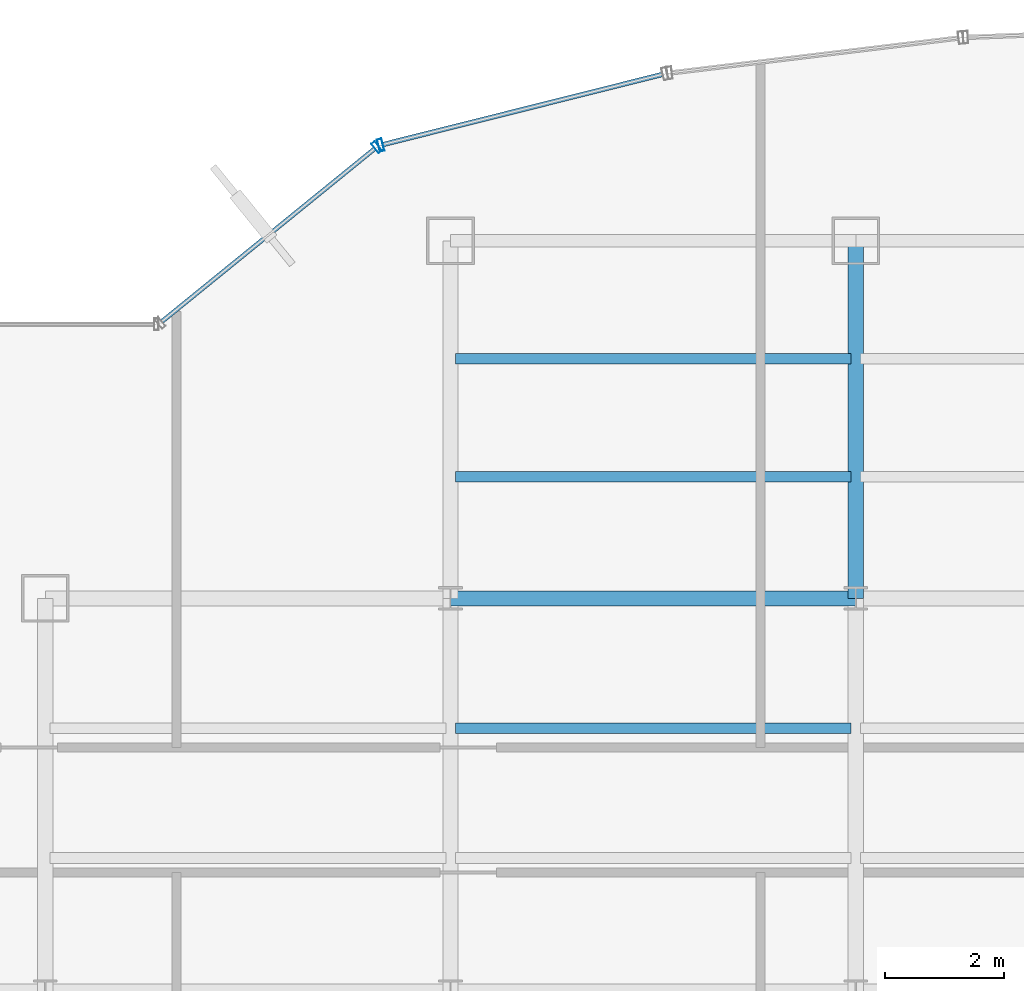
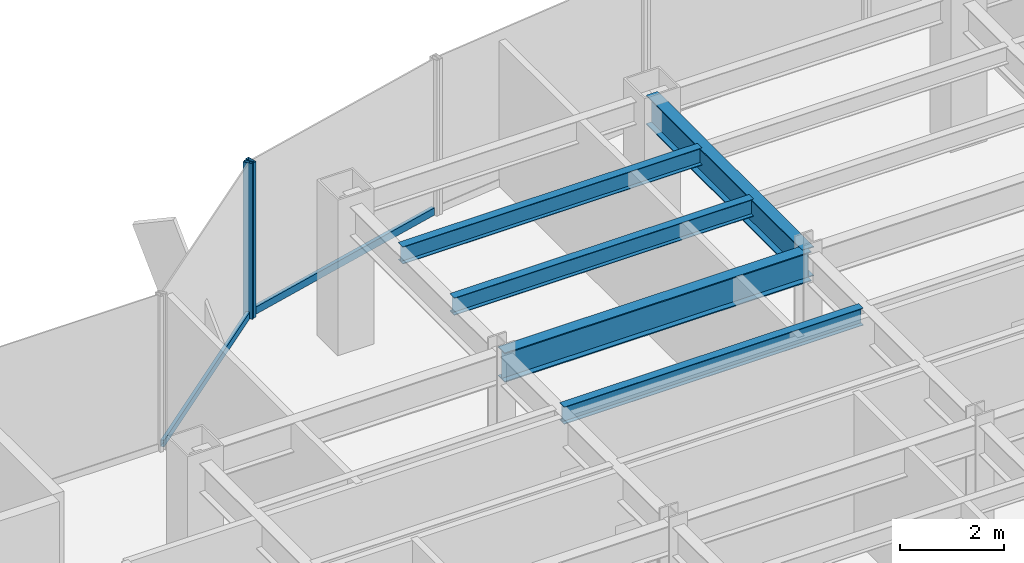
# One storey, part 14 of 26: 5 beams, 4 members, 2 elements without a shape of their own.
"""IFC4 building model written with IfcOpenShell, lengths in metres."""

from ifc_helpers import new_model, si_unit, derived_unit, direction, frame, origin, origin_2d, place, context, subcontext, project, spatial, hollow_rectangle, i_section, extrude, source, transform, mapped, material, material_profile, profile_set, type_object, element, aggregate, save


model = new_model("IFC4")

# Units and contexts
model_context = context("Model", 3, precision=1e-05, world=origin(), true_north=direction((0.0, 1.0)))
body_context = subcontext(model_context, "Body", "Model", "MODEL_VIEW")
ifc_project = project(units=[si_unit("LENGTHUNIT", "METRE"), si_unit("AREAUNIT", "SQUARE_METRE"), si_unit("VOLUMEUNIT", "CUBIC_METRE"), si_unit("PLANEANGLEUNIT", "RADIAN"), si_unit("MASSUNIT", "GRAM", prefix="KILO"), derived_unit("THERMALTRANSMITTANCEUNIT", [(si_unit("POWERUNIT", "WATT"), 1), (si_unit("LENGTHUNIT", "METRE"), -2), (si_unit("THERMODYNAMICTEMPERATUREUNIT", "KELVIN"), -1)])], contexts=[model_context])

# Site, building, storey
site_placement = place(None, origin())
site = spatial("IfcSite", under=ifc_project, at=site_placement, CompositionType="ELEMENT")
building_placement = place(site_placement, origin())
building = spatial("IfcBuilding", under=site, at=building_placement, Name="Skarnbrae Concourse Arena and Tower", CompositionType="ELEMENT")
storey_placement = place(building_placement, frame((0.0, 0.0, 103.25)))
storey = spatial("IfcBuildingStorey", under=building, at=storey_placement, Name="L25", CompositionType="ELEMENT", Elevation=103.25)

# Beams
ifc_material_1 = material(Name="Steel CSA G40.21 350W", Category="steel")
ifc_material_profile_1 = material_profile(ifc_material_1, i_section(OverallWidth=0.256103515625, OverallDepth=0.693115234375, WebThickness=0.014404296875, FlangeThickness=0.023681640625, at=origin_2d()), Name="W690X170")
ifc_profile_set_1 = profile_set([ifc_material_profile_1], Name="Steel CSA G40.21 350W")
beam_type_1 = type_object("IfcBeamType", Name="BM-GIRD-W690X170", PredefinedType="BEAM", material=ifc_profile_set_1)
shared_shape_1 = source(origin(), body_context, "Body", "SweptSolid", [
    extrude(i_section(OverallWidth=0.256103515625, OverallDepth=0.693115234375, WebThickness=0.014404296875, FlangeThickness=0.023681640625, at=origin_2d()), origin(), (0.0, 0.0, 1.0), 6.800048828125),
])
beam_1_placement = place(storey_placement, frame((14.39990234375, 34.39990234375, 3.053466796875), z_axis=(1.0, 0.0, 0.0), x_axis=(0.0, 1.0, 0.0)))
element("IfcBeam", 1, at=beam_1_placement, inside=storey, type_object=beam_type_1, Name="L25 Primary E-W girder Y34.4-2", PredefinedType="BEAM", context=body_context, shape_type="MappedRepresentation", body=[
    mapped(shared_shape_1, transform((0.0, 0.0, 0.0))),
])
shared_shape_2 = source(origin(), body_context, "Body", "SweptSolid", [
    extrude(i_section(OverallWidth=0.256103515625, OverallDepth=0.693115234375, WebThickness=0.014404296875, FlangeThickness=0.023681640625, at=origin_2d()), origin(), (0.0, 0.0, 1.0), 6.0),
])
beam_2_placement = place(storey_placement, frame((21.199951171875, 34.39990234375, 3.053466796875), z_axis=(0.0, 1.0, 0.0), x_axis=(-1.0, 0.0, 0.0)))
element("IfcBeam", 2, at=beam_2_placement, inside=storey, type_object=beam_type_1, Name="L25 Primary N-S girder X21.2-4", PredefinedType="BEAM", context=body_context, shape_type="MappedRepresentation", body=[
    mapped(shared_shape_2, transform((0.0, 0.0, 0.0))),
])
ifc_material_profile_2 = material_profile(ifc_material_1, i_section(OverallWidth=0.177978515625, OverallDepth=0.406982421875, WebThickness=0.0078125, FlangeThickness=0.0126953125, at=origin_2d()), Name="W410X60")
ifc_profile_set_2 = profile_set([ifc_material_profile_2], Name="Steel CSA G40.21 350W")
beam_type_2 = type_object("IfcBeamType", Name="BM-JOIST-W410X60", PredefinedType="JOIST", material=ifc_profile_set_2)
shared_shape_3 = source(origin(), body_context, "Body", "SweptSolid", [
    extrude(i_section(OverallWidth=0.177978515625, OverallDepth=0.406982421875, WebThickness=0.0078125, FlangeThickness=0.0126953125, at=origin_2d()), origin(), (0.0, 0.0, 1.0), 6.64013671875),
])
for number, where, z_axis, x_axis, name in (
    (3, (14.47998046875, 32.221923828125, 3.196533203125), (1.0, 0.0, 0.0), (0.0, 1.0, 0.0), "L25 Secondary floor joist 3.2.2"),
    (4, (14.47998046875, 36.43994140625, 3.196533203125), (1.0, 0.0, 0.0), (0.0, 1.0, 0.0), "L25 Secondary floor joist 4.1.1"),
    (5, (14.47998046875, 38.419921875, 3.196533203125), (1.0, 0.0, 0.0), (0.0, 1.0, 0.0), "L25 Secondary floor joist 4.2.1"),
):
    element("IfcBeam", number, at=place(storey_placement, frame(where, z_axis=z_axis, x_axis=x_axis)), inside=storey, type_object=beam_type_2, Name=name, PredefinedType="JOIST", context=body_context, shape_type="MappedRepresentation", body=[
        mapped(shared_shape_3, transform((0.0, 0.0, 0.0))),
    ])

# Curtain wall, member
ifc_material_2 = material(Name="Bronze anodised aluminium 6063-T6", Category="aluminium")
curtain_wall_type_1 = type_object("IfcCurtainWallType", Name="CW-SYS-03-PORTAL", PredefinedType="USERDEFINED", material=ifc_material_2)
curtain_wall_1_placement = place(storey_placement, origin())
curtain_wall_1 = element("IfcCurtainWall", 6, at=curtain_wall_1_placement, inside=storey, type_object=curtain_wall_type_1, Name="L25 Unitised curtain wall CW-L25-E14", ObjectType="UNITISED CURTAIN WALL", PredefinedType="USERDEFINED")
ifc_material_profile_3 = material_profile(ifc_material_2, hollow_rectangle(XDim=0.080078125, YDim=0.2099609375, WallThickness=0.00439453125, at=origin_2d()), Name="ALU-MULL-80X210")
ifc_profile_set_3 = profile_set([ifc_material_profile_3], Name="Bronze anodised aluminium 6063-T6")
member_type_1 = type_object("IfcMemberType", Name="CWM-CW-03", PredefinedType="MULLION", material=ifc_profile_set_3)
shared_shape_4 = source(origin(), body_context, "Body", "SweptSolid", [
    extrude(hollow_rectangle(XDim=0.080078125, YDim=0.2099609375, WallThickness=0.00439453125, at=origin_2d()), origin(), (0.0, 0.0, 1.0), 3.64990234375),
])
member_1_placement = place(storey_placement, frame((13.227783203125, 42.005615234375, 0.0), z_axis=(0.0, 0.0, 1.0), x_axis=(-0.969903046166, -0.243491439351, 0.0)))
member_1 = element("IfcMember", 7, at=member_1_placement, type_object=member_type_1, Name="CW-L25-E14 Mullion 2", PredefinedType="MULLION", context=body_context, shape_type="MappedRepresentation", body=[
    mapped(shared_shape_4, transform((0.0, 0.0, 0.0))),
])

# Curtain wall, members
curtain_wall_type_2 = type_object("IfcCurtainWallType", Name="CW-SYS-04-MIDZONE", PredefinedType="USERDEFINED", material=ifc_material_2)
curtain_wall_2_placement = place(storey_placement, origin())
curtain_wall_2 = element("IfcCurtainWall", 8, at=curtain_wall_2_placement, inside=storey, type_object=curtain_wall_type_2, Name="L25 Unitised curtain wall CW-L25-E15", ObjectType="UNITISED CURTAIN WALL", PredefinedType="USERDEFINED")
ifc_material_profile_4 = material_profile(ifc_material_2, hollow_rectangle(XDim=0.074951171875, YDim=0.159912109375, WallThickness=0.00439453125, at=origin_2d()), Name="ALU-TRAN-75X160")
ifc_profile_set_4 = profile_set([ifc_material_profile_4], Name="Bronze anodised aluminium 6063-T6")
member_type_2 = type_object("IfcMemberType", Name="CWT-CW-04", PredefinedType="USERDEFINED", material=ifc_profile_set_4)
shared_shape_5 = source(origin(), body_context, "Body", "SweptSolid", [
    extrude(hollow_rectangle(XDim=0.074951171875, YDim=0.159912109375, WallThickness=0.00439453125, at=origin_2d()), origin(), (0.0, 0.0, 1.0), 4.602294921875),
])
member_2_placement = place(storey_placement, frame((13.130615234375, 41.94873046875, 0.080078125), z_axis=(-0.776251906445, -0.630422856297, 0.0), x_axis=(0.630422856297, -0.776251906445, 0.0)))
member_2 = element("IfcMember", 9, at=member_2_placement, type_object=member_type_2, Name="CW-L25-E15 Transom 1", ObjectType="TRANSOM", PredefinedType="USERDEFINED", context=body_context, shape_type="MappedRepresentation", body=[
    mapped(shared_shape_5, transform((0.0, 0.0, 0.0))),
])
ifc_material_profile_5 = material_profile(ifc_material_2, hollow_rectangle(XDim=0.074951171875, YDim=0.195068359375, WallThickness=0.00439453125, at=origin_2d()), Name="ALU-MULL-75X195")
ifc_profile_set_5 = profile_set([ifc_material_profile_5], Name="Bronze anodised aluminium 6063-T6")
member_type_3 = type_object("IfcMemberType", Name="CWM-CW-04", PredefinedType="MULLION", material=ifc_profile_set_5)
shared_shape_6 = source(origin(), body_context, "Body", "SweptSolid", [
    extrude(hollow_rectangle(XDim=0.074951171875, YDim=0.195068359375, WallThickness=0.00439453125, at=origin_2d()), origin(), (0.0, 0.0, 1.0), 3.64990234375),
])
member_3_placement = place(storey_placement, frame((13.159912109375, 41.972412109375, 0.0), z_axis=(0.0, 0.0, 1.0), x_axis=(-0.776241200471, -0.630436038542, 0.0)))
member_3 = element("IfcMember", 10, at=member_3_placement, type_object=member_type_3, Name="CW-L25-E15 Mullion 1", PredefinedType="MULLION", context=body_context, shape_type="MappedRepresentation", body=[
    mapped(shared_shape_6, transform((0.0, 0.0, 0.0))),
])
aggregate(curtain_wall_2, [member_3, member_2])

# Member
ifc_material_profile_6 = material_profile(ifc_material_2, hollow_rectangle(XDim=0.080078125, YDim=0.169921875, WallThickness=0.00439453125, at=origin_2d()), Name="ALU-TRAN-80X170")
ifc_profile_set_6 = profile_set([ifc_material_profile_6], Name="Bronze anodised aluminium 6063-T6")
member_type_4 = type_object("IfcMemberType", Name="CWT-CW-03", PredefinedType="USERDEFINED", material=ifc_profile_set_6)
shared_shape_7 = source(origin(), body_context, "Body", "SweptSolid", [
    extrude(hollow_rectangle(XDim=0.080078125, YDim=0.169921875, WallThickness=0.00439453125, at=origin_2d()), origin(), (0.0, 0.0, 1.0), 4.837158203125),
])
member_4_placement = place(storey_placement, frame((17.958251953125, 43.193359375, 0.0849609375), z_axis=(-0.969895583622, -0.243521163084, 0.0), x_axis=(0.243521163084, -0.969895583622, 0.0)))
member_4 = element("IfcMember", 11, at=member_4_placement, type_object=member_type_4, Name="CW-L25-E14 Transom 1", ObjectType="TRANSOM", PredefinedType="USERDEFINED", context=body_context, shape_type="MappedRepresentation", body=[
    mapped(shared_shape_7, transform((0.0, 0.0, 0.0))),
])

aggregate(curtain_wall_1, [member_1, member_4])

save(model, "model.ifc")
